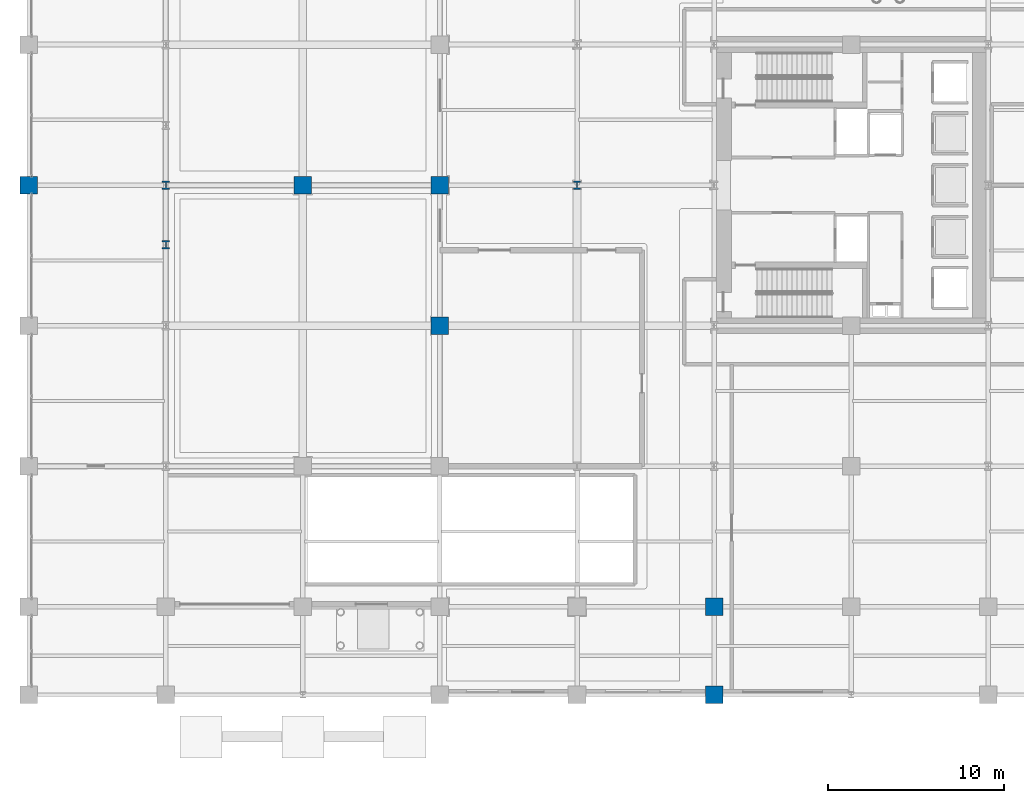
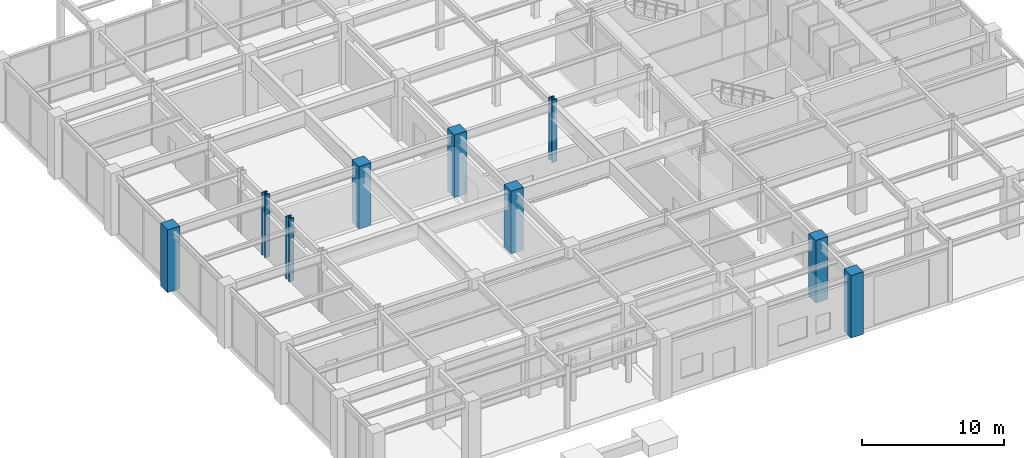
# One storey, part 2 of 27: 9 columns.
"""IFC4 building model written with IfcOpenShell, lengths in metres."""

from ifc_helpers import new_model, si_unit, direction, frame, origin, origin_2d, place, context, subcontext, project, spatial, rectangle, i_section, extrude, material, material_profile, profile_set, type_object, element, save


model = new_model("IFC4")

# Units and contexts
model_context = context("Model", 3, precision=1e-05, world=origin(), true_north=direction((0.0, 1.0)))
body_context = subcontext(model_context, "Body", "Model", "MODEL_VIEW")
ifc_project = project(units=[si_unit("LENGTHUNIT", "METRE"), si_unit("AREAUNIT", "SQUARE_METRE"), si_unit("VOLUMEUNIT", "CUBIC_METRE"), si_unit("PLANEANGLEUNIT", "RADIAN"), si_unit("MASSUNIT", "GRAM", prefix="KILO")], contexts=[model_context])

# Site, building, storey
site_placement = place(None, origin())
site = spatial("IfcSite", under=ifc_project, at=site_placement, CompositionType="ELEMENT")
building_placement = place(site_placement, origin())
building = spatial("IfcBuilding", under=site, at=building_placement, Name="Veymaron Broadcast Tower", CompositionType="ELEMENT")
storey_placement = place(building_placement, origin())
storey = spatial("IfcBuildingStorey", under=building, at=storey_placement, Name="L00", CompositionType="ELEMENT", Elevation=0.0)

# Columns
ifc_material_1 = material(Name="Structural steel ASTM A913 Gr 65", Category="steel")
ifc_material_profile_1 = material_profile(ifc_material_1, i_section(OverallWidth=0.424072265625, OverallDepth=0.47412109375, WebThickness=0.047607421875, FlangeThickness=0.076904296875, at=origin_2d()), Name="W360X634")
ifc_profile_set_1 = profile_set([ifc_material_profile_1], Name="Structural steel ASTM A913 Gr 65")
column_type_1 = type_object("IfcColumnType", Name="COL-MC1", PredefinedType="COLUMN", material=ifc_profile_set_1)
for number, where, z_axis, x_axis, name in (
    (1, (7.800048828125, 24.0, 0.0), (0.0, 0.0, 1.0), (1.0, 0.0, 0.0), "L00 column (7.8, 24.0)"),
    (2, (31.199951171875, 24.0, 0.0), (0.0, 0.0, 1.0), (1.0, 0.0, 0.0), "L00 column (31.2, 24.0)"),
):
    element("IfcColumn", number, at=place(storey_placement, frame(where, z_axis=z_axis, x_axis=x_axis)), inside=storey, type_object=column_type_1, Name=name, PredefinedType="COLUMN", context=body_context, shape_type="SweptSolid", body=[
        extrude(i_section(OverallWidth=0.424072265625, OverallDepth=0.47412109375, WebThickness=0.047607421875, FlangeThickness=0.076904296875, at=origin_2d()), origin(), (0.0, 0.0, 1.0), 5.39501953125),
    ])
column_placement = place(storey_placement, frame((7.800048828125, 20.60009765625, 0.0), z_axis=(0.0, 0.0, 1.0), x_axis=(1.0, 0.0, 0.0)))
element("IfcColumn", 3, at=column_placement, inside=storey, type_object=column_type_1, Name="L00 Mega Column podium base", PredefinedType="COLUMN", context=body_context, shape_type="SweptSolid", body=[
    extrude(i_section(OverallWidth=0.424072265625, OverallDepth=0.47412109375, WebThickness=0.047607421875, FlangeThickness=0.076904296875, at=origin_2d()), origin(), (0.0, 0.0, 1.0), 5.39404296875),
])
ifc_material_2 = material(Name="Concrete C60/75", Category="concrete")
ifc_material_profile_2 = material_profile(ifc_material_2, rectangle(XDim=1.0, YDim=1.0, at=origin_2d()), Name="RC1000X1000")
ifc_profile_set_2 = profile_set([ifc_material_profile_2], Name="Concrete C60/75")
column_type_2 = type_object("IfcColumnType", Name="COL-RC3", PredefinedType="COLUMN", material=ifc_profile_set_2)
for number, where, z_axis, x_axis, name in (
    (4, (0.0, 24.0, 0.0), (0.0, 0.0, 1.0), (1.0, 0.0, 0.0), "L00 column (0.0, 24.0)"),
    (5, (15.60009765625, 24.0, 0.0), (0.0, 0.0, 1.0), (1.0, 0.0, 0.0), "L00 column (15.6, 24.0)"),
    (6, (23.39990234375, 16.0, 0.0), (0.0, 0.0, 1.0), (1.0, 0.0, 0.0), "L00 column (23.4, 16.0)"),
    (7, (23.39990234375, 24.0, 0.0), (0.0, 0.0, 1.0), (1.0, 0.0, 0.0), "L00 column (23.4, 24.0)"),
    (8, (39.0, -5.0, 0.0), (0.0, 0.0, 1.0), (1.0, 0.0, 0.0), "L00 column (39.0, -5.0)"),
    (9, (39.0, 0.0, 0.0), (0.0, 0.0, 1.0), (1.0, 0.0, 0.0), "L00 column (39.0, 0.0)"),
):
    element("IfcColumn", number, at=place(storey_placement, frame(where, z_axis=z_axis, x_axis=x_axis)), inside=storey, type_object=column_type_2, Name=name, PredefinedType="COLUMN", context=body_context, shape_type="SweptSolid", body=[
        extrude(rectangle(XDim=1.0, YDim=1.0, at=origin_2d()), origin(), (0.0, 0.0, 1.0), 5.39501953125),
    ])

save(model, "model.ifc")
